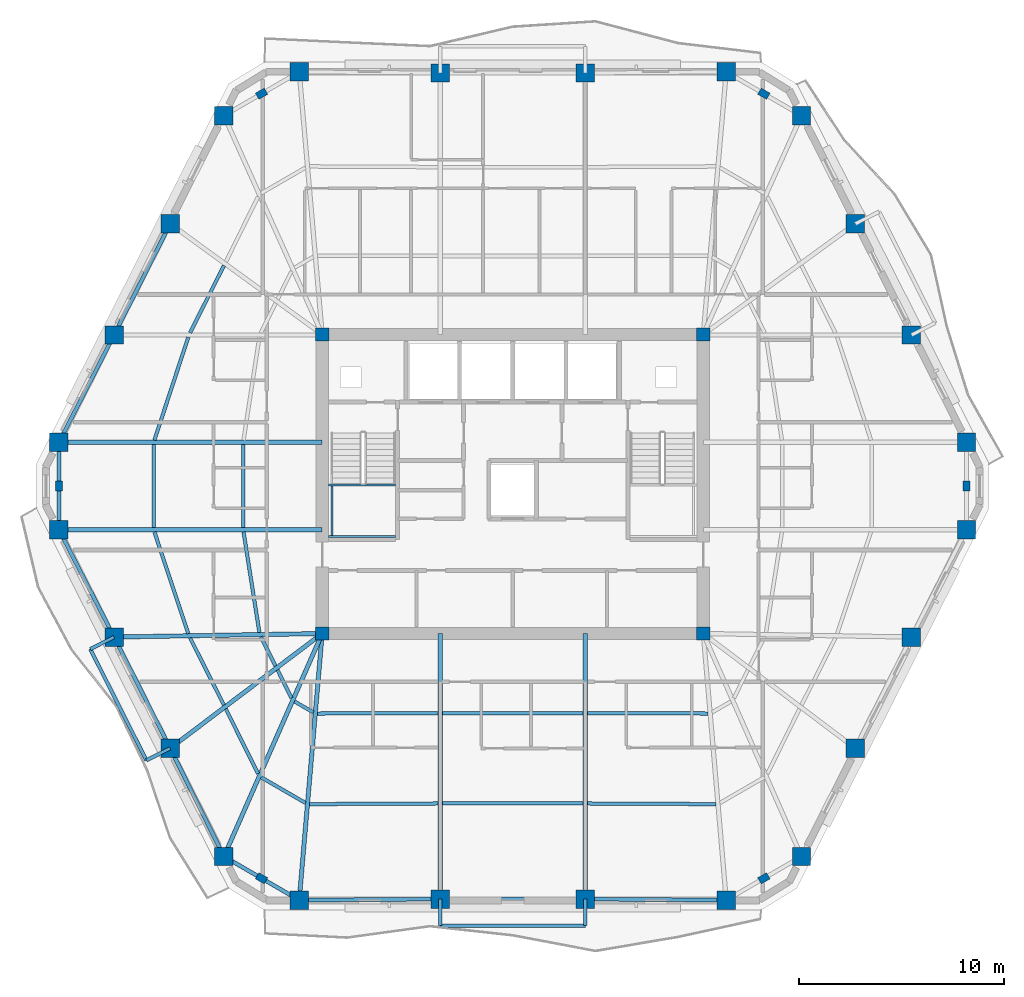
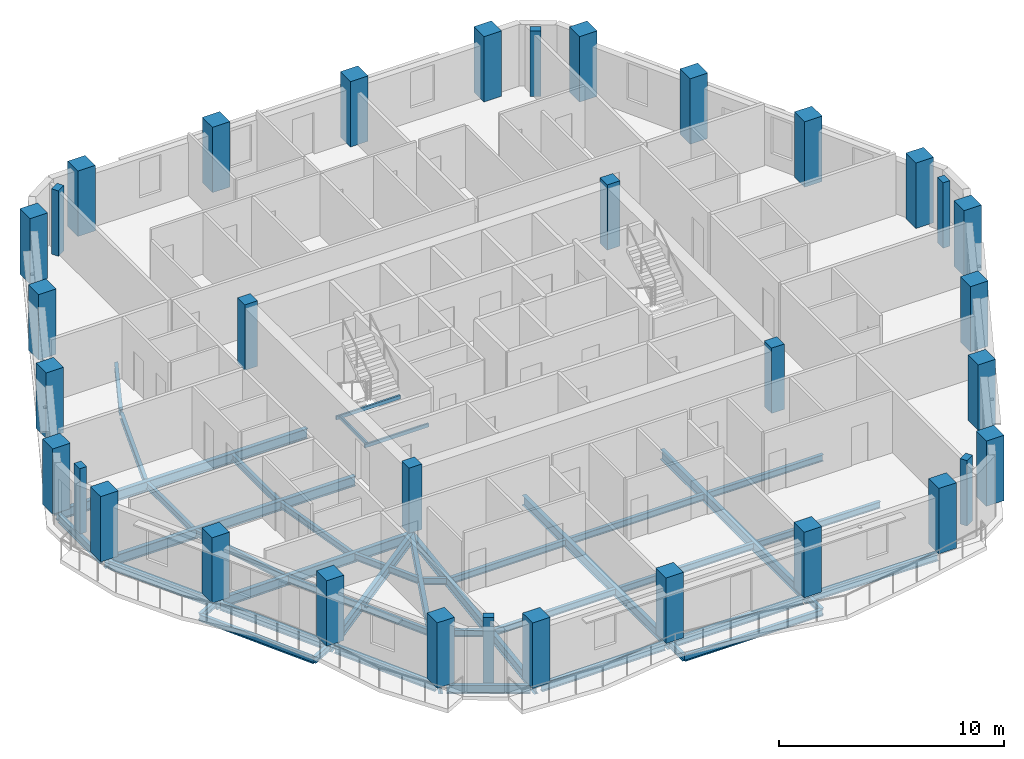
# One storey, part 1 of 11: 45 beams, 34 columns.
"""IFC4 building model written with IfcOpenShell, lengths in metres."""

from ifc_helpers import new_model, si_unit, direction, frame, origin, origin_2d, place, context, subcontext, project, spatial, rectangle, hollow_rectangle, i_section, extrude, material, material_profile, profile_set, type_object, element, save


model = new_model("IFC4")

# Units and contexts
model_context = context("Model", 3, precision=1e-05, world=origin(), true_north=direction((0.0, 1.0)))
body_context = subcontext(model_context, "Body", "Model", "MODEL_VIEW")
ifc_project = project(units=[si_unit("LENGTHUNIT", "METRE"), si_unit("AREAUNIT", "SQUARE_METRE"), si_unit("VOLUMEUNIT", "CUBIC_METRE"), si_unit("PLANEANGLEUNIT", "RADIAN"), si_unit("MASSUNIT", "GRAM", prefix="KILO")], contexts=[model_context])

# Site, building, storey
site_placement = place(None, origin())
site = spatial("IfcSite", under=ifc_project, at=site_placement, CompositionType="ELEMENT")
building_placement = place(site_placement, origin())
building = spatial("IfcBuilding", under=site, at=building_placement, Name="Cinnabar Lancet Tower", CompositionType="ELEMENT")
storey_placement = place(building_placement, frame((0.0, 0.0, 200.300048828125)))
storey = spatial("IfcBuildingStorey", under=building, at=storey_placement, Name="L53", CompositionType="ELEMENT", Elevation=200.300048828125)

# Columns
ifc_material_1 = material(Name="Concrete C60/75", Category="concrete")
ifc_material_profile_1 = material_profile(ifc_material_1, rectangle(XDim=0.64990234375, YDim=0.64990234375, at=origin_2d()), Name="RC-COL 650x650")
ifc_profile_set_1 = profile_set([ifc_material_profile_1], Name="Concrete C60/75")
column_type_1 = type_object("IfcColumnType", Name="STR-COL-CORE-650", PredefinedType="COLUMN", material=ifc_profile_set_1)
for number, where, z_axis, x_axis, name in (
    (1, (23.10009765625, 18.60009765625, 0.0), (0.0, 0.0, 1.0), (1.0, 0.0, 0.0), "L53 Core Corner Column SW"),
    (2, (41.699951171875, 18.60009765625, 0.0), (0.0, 0.0, 1.0), (1.0, 0.0, 0.0), "L53 Core Corner Column SE"),
    (3, (41.699951171875, 33.199951171875, 0.0), (0.0, 0.0, 1.0), (1.0, 0.0, 0.0), "L53 Core Corner Column NE"),
    (4, (23.10009765625, 33.199951171875, 0.0), (0.0, 0.0, 1.0), (1.0, 0.0, 0.0), "L53 Core Corner Column NW"),
):
    element("IfcColumn", number, at=place(storey_placement, frame(where, z_axis=z_axis, x_axis=x_axis)), inside=storey, type_object=column_type_1, Name=name, PredefinedType="COLUMN", context=body_context, shape_type="SweptSolid", body=[
        extrude(rectangle(XDim=0.64990234375, YDim=0.64990234375, at=origin_2d()), origin(), (0.0, 0.0, 1.0), 3.550048828125),
    ])
ifc_material_2 = material(Name="Concrete C60/75", Category="concrete")
ifc_material_profile_2 = material_profile(ifc_material_2, rectangle(XDim=0.5, YDim=0.35009765625, at=origin_2d()), Name="RC-PIL 500x350")
ifc_profile_set_2 = profile_set([ifc_material_profile_2], Name="Concrete C60/75")
column_type_2 = type_object("IfcColumnType", Name="STR-COL-PIL-500", PredefinedType="PILASTER", material=ifc_profile_set_2)
for number, where, z_axis, x_axis, name in (
    (5, (20.14208984375, 6.654052734375, 0.0), (0.0, 0.0, 1.0), (0.865230187018, -0.501374833306, 0.0), "L53 Chamfered Corner Pilaster 1"),
    (6, (44.657958984375, 6.654052734375, 0.0), (0.0, 0.0, 1.0), (0.865230187018, 0.501374833306, 0.0), "L53 Chamfered Corner Pilaster 2"),
    (7, (54.547119140625, 25.800048828125, 0.0), (0.0, 0.0, 1.0), (0.0, 1.0, 0.0), "L53 Chamfered Corner Pilaster 3"),
    (8, (44.657958984375, 44.947021484375, 0.0), (0.0, 0.0, 1.0), (-0.865230187018, 0.501374833306, 0.0), "L53 Chamfered Corner Pilaster 4"),
    (9, (20.14208984375, 44.947021484375, 0.0), (0.0, 0.0, 1.0), (-0.865230187018, -0.501374833306, 0.0), "L53 Chamfered Corner Pilaster 5"),
    (10, (10.2529296875, 25.800048828125, 0.0), (0.0, 0.0, 1.0), (0.0, -1.0, 0.0), "L53 Chamfered Corner Pilaster 6"),
):
    element("IfcColumn", number, at=place(storey_placement, frame(where, z_axis=z_axis, x_axis=x_axis)), inside=storey, type_object=column_type_2, Name=name, PredefinedType="PILASTER", context=body_context, shape_type="SweptSolid", body=[
        extrude(rectangle(XDim=0.5, YDim=0.35009765625, at=origin_2d()), origin(), (0.0, 0.0, 1.0), 3.550048828125),
    ])
ifc_material_3 = material(Name="Concrete C60/75", Category="concrete")
ifc_material_profile_3 = material_profile(ifc_material_3, rectangle(XDim=0.89990234375, YDim=0.89990234375, at=origin_2d()), Name="RC-COL 900x900")
ifc_profile_set_3 = profile_set([ifc_material_profile_3], Name="Concrete C60/75")
column_type_3 = type_object("IfcColumnType", Name="STR-COL-TUBE-900", PredefinedType="COLUMN", material=ifc_profile_set_3)
for number, where, z_axis, x_axis, name in (
    (11, (21.97900390625, 5.589111328125, 0.0), (0.0, 0.0, 1.0), (1.0, 0.0, 0.0), "L53 Perimeter Tube Column 1"),
    (12, (28.85693359375, 5.64208984375, 0.0), (0.0, 0.0, 1.0), (1.0, 0.0, 0.0), "L53 Perimeter Tube Column 2"),
    (13, (35.943115234375, 5.64208984375, 0.0), (0.0, 0.0, 1.0), (1.0, 0.0, 0.0), "L53 Perimeter Tube Column 3"),
    (14, (42.821044921875, 5.589111328125, 0.0), (0.0, 0.0, 1.0), (1.0, 0.0, 0.0), "L53 Perimeter Tube Column 4"),
    (15, (46.4951171875, 7.718017578125, 0.0), (0.0, 0.0, 1.0), (1.0, 0.0, 0.0), "L53 Perimeter Tube Column 5"),
    (16, (49.118896484375, 13.0009765625, 0.0), (0.0, 0.0, 1.0), (1.0, 0.0, 0.0), "L53 Perimeter Tube Column 6"),
    (17, (51.85791015625, 18.428955078125, 0.0), (0.0, 0.0, 1.0), (1.0, 0.0, 0.0), "L53 Perimeter Tube Column 7"),
    (18, (54.547119140625, 23.66796875, 0.0), (0.0, 0.0, 1.0), (1.0, 0.0, 0.0), "L53 Perimeter Tube Column 8"),
    (19, (54.547119140625, 27.931884765625, 0.0), (0.0, 0.0, 1.0), (1.0, 0.0, 0.0), "L53 Perimeter Tube Column 9"),
    (20, (51.85791015625, 33.1708984375, 0.0), (0.0, 0.0, 1.0), (1.0, 0.0, 0.0), "L53 Perimeter Tube Column 10"),
    (21, (49.118896484375, 38.59912109375, 0.0), (0.0, 0.0, 1.0), (1.0, 0.0, 0.0), "L53 Perimeter Tube Column 11"),
    (22, (46.4951171875, 43.882080078125, 0.0), (0.0, 0.0, 1.0), (1.0, 0.0, 0.0), "L53 Perimeter Tube Column 12"),
    (23, (42.821044921875, 46.010986328125, 0.0), (0.0, 0.0, 1.0), (1.0, 0.0, 0.0), "L53 Perimeter Tube Column 13"),
    (24, (35.943115234375, 45.9580078125, 0.0), (0.0, 0.0, 1.0), (1.0, 0.0, 0.0), "L53 Perimeter Tube Column 14"),
    (25, (28.85693359375, 45.9580078125, 0.0), (0.0, 0.0, 1.0), (1.0, 0.0, 0.0), "L53 Perimeter Tube Column 15"),
    (26, (21.97900390625, 46.010986328125, 0.0), (0.0, 0.0, 1.0), (1.0, 0.0, 0.0), "L53 Perimeter Tube Column 16"),
    (27, (18.304931640625, 43.882080078125, 0.0), (0.0, 0.0, 1.0), (1.0, 0.0, 0.0), "L53 Perimeter Tube Column 17"),
    (28, (15.680908203125, 38.59912109375, 0.0), (0.0, 0.0, 1.0), (1.0, 0.0, 0.0), "L53 Perimeter Tube Column 18"),
    (29, (12.94189453125, 33.1708984375, 0.0), (0.0, 0.0, 1.0), (1.0, 0.0, 0.0), "L53 Perimeter Tube Column 19"),
    (30, (10.2529296875, 27.931884765625, 0.0), (0.0, 0.0, 1.0), (1.0, 0.0, 0.0), "L53 Perimeter Tube Column 20"),
    (31, (10.2529296875, 23.66796875, 0.0), (0.0, 0.0, 1.0), (1.0, 0.0, 0.0), "L53 Perimeter Tube Column 21"),
    (32, (12.94189453125, 18.428955078125, 0.0), (0.0, 0.0, 1.0), (1.0, 0.0, 0.0), "L53 Perimeter Tube Column 22"),
    (33, (15.680908203125, 13.0009765625, 0.0), (0.0, 0.0, 1.0), (1.0, 0.0, 0.0), "L53 Perimeter Tube Column 23"),
    (34, (18.304931640625, 7.718017578125, 0.0), (0.0, 0.0, 1.0), (1.0, 0.0, 0.0), "L53 Perimeter Tube Column 24"),
):
    element("IfcColumn", number, at=place(storey_placement, frame(where, z_axis=z_axis, x_axis=x_axis)), inside=storey, type_object=column_type_3, Name=name, PredefinedType="COLUMN", context=body_context, shape_type="SweptSolid", body=[
        extrude(rectangle(XDim=0.89990234375, YDim=0.89990234375, at=origin_2d()), origin(), (0.0, 0.0, 1.0), 3.550048828125),
    ])

# Beams
ifc_material_4 = material(Name="Structural steel S355", Category="steel")
ifc_material_profile_4 = material_profile(ifc_material_4, i_section(OverallWidth=0.17138671875, OverallDepth=0.35498046875, WebThickness=0.00732421875, FlangeThickness=0.011474609375, FilletRadius=0.01025390625, at=origin_2d()), Name="UKB 356x171x51")
ifc_profile_set_4 = profile_set([ifc_material_profile_4], Name="Structural steel S355")
beam_type_1 = type_object("IfcBeamType", Name="STR-BM-JST-356", PredefinedType="JOIST", material=ifc_profile_set_4)
beam_1_placement = place(storey_placement, frame((14.9130859375, 23.56298828125, -0.3779296875), z_axis=(0.315346227037, -0.948976689436, 0.0), x_axis=(0.948976689436, 0.315346227037, 0.0)))
element("IfcBeam", 35, at=beam_1_placement, inside=storey, type_object=beam_type_1, Name="L53 Secondary Floor Joist 1", PredefinedType="JOIST", context=body_context, shape_type="SweptSolid", body=[
    extrude(i_section(OverallWidth=0.17138671875, OverallDepth=0.35498046875, WebThickness=0.00732421875, FlangeThickness=0.011474609375, FilletRadius=0.01025390625, at=origin_2d()), origin(), (0.0, 0.0, 1.0), 5.235107421875),
])
beam_2_placement = place(storey_placement, frame((19.261962890625, 23.56298828125, -0.3779296875), z_axis=(0.155702775827, -0.987803950994, 0.0), x_axis=(0.987803950994, 0.155702775827, 0.0)))
element("IfcBeam", 36, at=beam_2_placement, inside=storey, type_object=beam_type_1, Name="L53 Secondary Floor Joist 2", PredefinedType="JOIST", context=body_context, shape_type="SweptSolid", body=[
    extrude(i_section(OverallWidth=0.17138671875, OverallDepth=0.35498046875, WebThickness=0.00732421875, FlangeThickness=0.011474609375, FilletRadius=0.01025390625, at=origin_2d()), origin(), (0.0, 0.0, 1.0), 4.970458984375),
])
beam_3_placement = place(storey_placement, frame((16.65087890625, 18.386962890625, -0.3779296875), z_axis=(0.45061776862, -0.892716991327, 0.0), x_axis=(0.892716991327, 0.45061776862, 0.0)))
element("IfcBeam", 37, at=beam_3_placement, inside=storey, type_object=beam_type_1, Name="L53 Secondary Floor Joist 3", PredefinedType="JOIST", context=body_context, shape_type="SweptSolid", body=[
    extrude(i_section(OverallWidth=0.17138671875, OverallDepth=0.35498046875, WebThickness=0.00732421875, FlangeThickness=0.011474609375, FilletRadius=0.01025390625, at=origin_2d()), origin(), (0.0, 0.0, 1.0), 3.66845703125),
])
beam_4_placement = place(storey_placement, frame((20.10498046875, 18.445068359375, -0.3779296875), z_axis=(0.450137936259, -0.892959035085, 0.0), x_axis=(0.892959035085, 0.450137936259, 0.0)))
element("IfcBeam", 38, at=beam_4_placement, inside=storey, type_object=beam_type_1, Name="L53 Secondary Floor Joist 4", PredefinedType="JOIST", context=body_context, shape_type="SweptSolid", body=[
    extrude(i_section(OverallWidth=0.17138671875, OverallDepth=0.35498046875, WebThickness=0.00732421875, FlangeThickness=0.011474609375, FilletRadius=0.01025390625, at=origin_2d()), origin(), (0.0, 0.0, 1.0), 1.6015625),
])
beam_5_placement = place(storey_placement, frame((18.39892578125, 14.9208984375, -0.3779296875), z_axis=(0.445083338565, -0.895489152214, 0.0), x_axis=(0.895489152214, 0.445083338565, 0.0)))
element("IfcBeam", 39, at=beam_5_placement, inside=storey, type_object=beam_type_1, Name="L53 Secondary Floor Joist 5", PredefinedType="JOIST", context=body_context, shape_type="SweptSolid", body=[
    extrude(i_section(OverallWidth=0.17138671875, OverallDepth=0.35498046875, WebThickness=0.00732421875, FlangeThickness=0.011474609375, FilletRadius=0.01025390625, at=origin_2d()), origin(), (0.0, 0.0, 1.0), 3.531982421875),
])
beam_6_placement = place(storey_placement, frame((20.922119140625, 16.824951171875, -0.3779296875), z_axis=(0.444589856968, -0.895734256954, 0.0), x_axis=(0.895734256954, 0.444589856968, 0.0)))
element("IfcBeam", 40, at=beam_6_placement, inside=storey, type_object=beam_type_1, Name="L53 Secondary Floor Joist 6", PredefinedType="JOIST", context=body_context, shape_type="SweptSolid", body=[
    extrude(i_section(OverallWidth=0.17138671875, OverallDepth=0.35498046875, WebThickness=0.00732421875, FlangeThickness=0.011474609375, FilletRadius=0.01025390625, at=origin_2d()), origin(), (0.0, 0.0, 1.0), 1.527099609375),
])
beam_7_placement = place(storey_placement, frame((20.1220703125, 11.5830078125, -0.3779296875), z_axis=(0.865267839663, -0.501309849937, 0.0), x_axis=(0.501309849937, 0.865267839663, 0.0)))
element("IfcBeam", 41, at=beam_7_placement, inside=storey, type_object=beam_type_1, Name="L53 Secondary Floor Joist 7", PredefinedType="JOIST", context=body_context, shape_type="SweptSolid", body=[
    extrude(i_section(OverallWidth=0.17138671875, OverallDepth=0.35498046875, WebThickness=0.00732421875, FlangeThickness=0.011474609375, FilletRadius=0.01025390625, at=origin_2d()), origin(), (0.0, 0.0, 1.0), 2.497314453125),
])
beam_8_placement = place(storey_placement, frame((21.7529296875, 15.282958984375, -0.3779296875), z_axis=(0.8651881055, -0.501447446998, 0.0), x_axis=(0.501447446998, 0.8651881055, 0.0)))
element("IfcBeam", 42, at=beam_8_placement, inside=storey, type_object=beam_type_1, Name="L53 Secondary Floor Joist 8", PredefinedType="JOIST", context=body_context, shape_type="SweptSolid", body=[
    extrude(i_section(OverallWidth=0.17138671875, OverallDepth=0.35498046875, WebThickness=0.00732421875, FlangeThickness=0.011474609375, FilletRadius=0.01025390625, at=origin_2d()), origin(), (0.0, 0.0, 1.0), 1.05322265625),
])
beam_9_placement = place(storey_placement, frame((22.488037109375, 10.27392578125, -0.3779296875), z_axis=(0.999986965561, 0.005105752523, 0.0), x_axis=(-0.005105752523, 0.999986965561, 0.0)))
element("IfcBeam", 43, at=beam_9_placement, inside=storey, type_object=beam_type_1, Name="L53 Secondary Floor Joist 9", PredefinedType="JOIST", context=body_context, shape_type="SweptSolid", body=[
    extrude(i_section(OverallWidth=0.17138671875, OverallDepth=0.35498046875, WebThickness=0.00732421875, FlangeThickness=0.011474609375, FilletRadius=0.01025390625, at=origin_2d()), origin(), (0.0, 0.0, 1.0), 6.263916015625),
])
beam_10_placement = place(storey_placement, frame((22.868896484375, 14.697021484375, -0.3779296875), z_axis=(0.999996795933, 0.002531427338, 0.0), x_axis=(-0.002531427338, 0.999996795933, 0.0)))
element("IfcBeam", 44, at=beam_10_placement, inside=storey, type_object=beam_type_1, Name="L53 Secondary Floor Joist 10", PredefinedType="JOIST", context=body_context, shape_type="SweptSolid", body=[
    extrude(i_section(OverallWidth=0.17138671875, OverallDepth=0.35498046875, WebThickness=0.00732421875, FlangeThickness=0.011474609375, FilletRadius=0.01025390625, at=origin_2d()), origin(), (0.0, 0.0, 1.0), 5.883056640625),
])
for number, where, z_axis, x_axis, name in (
    (45, (28.9619140625, 10.306884765625, -0.3779296875), (1.0, 0.0, 0.0), (0.0, 1.0, 0.0), "L53 Secondary Floor Joist 11"),
    (46, (28.9619140625, 14.712890625, -0.3779296875), (1.0, 0.0, 0.0), (0.0, 1.0, 0.0), "L53 Secondary Floor Joist 12"),
):
    element("IfcBeam", number, at=place(storey_placement, frame(where, z_axis=z_axis, x_axis=x_axis)), inside=storey, type_object=beam_type_1, Name=name, PredefinedType="JOIST", context=body_context, shape_type="SweptSolid", body=[
        extrude(i_section(OverallWidth=0.17138671875, OverallDepth=0.35498046875, WebThickness=0.00732421875, FlangeThickness=0.011474609375, FilletRadius=0.01025390625, at=origin_2d()), origin(), (0.0, 0.0, 1.0), 6.8759765625),
    ])
beam_11_placement = place(storey_placement, frame((36.048095703125, 10.305908203125, -0.3779296875), z_axis=(0.999986965561, -0.005105752523, 0.0), x_axis=(0.005105752523, 0.999986965561, 0.0)))
element("IfcBeam", 47, at=beam_11_placement, inside=storey, type_object=beam_type_1, Name="L53 Secondary Floor Joist 13", PredefinedType="JOIST", context=body_context, shape_type="SweptSolid", body=[
    extrude(i_section(OverallWidth=0.17138671875, OverallDepth=0.35498046875, WebThickness=0.00732421875, FlangeThickness=0.011474609375, FilletRadius=0.01025390625, at=origin_2d()), origin(), (0.0, 0.0, 1.0), 6.263916015625),
])
beam_12_placement = place(storey_placement, frame((36.048095703125, 14.7119140625, -0.3779296875), z_axis=(0.999996795667, -0.002531532393, 0.0), x_axis=(0.002531532393, 0.999996795667, 0.0)))
element("IfcBeam", 48, at=beam_12_placement, inside=storey, type_object=beam_type_1, Name="L53 Secondary Floor Joist 14", PredefinedType="JOIST", context=body_context, shape_type="SweptSolid", body=[
    extrude(i_section(OverallWidth=0.17138671875, OverallDepth=0.35498046875, WebThickness=0.00732421875, FlangeThickness=0.011474609375, FilletRadius=0.01025390625, at=origin_2d()), origin(), (0.0, 0.0, 1.0), 5.8828125),
])
beam_13_placement = place(storey_placement, frame((18.303955078125, 36.56103515625, -0.3779296875), z_axis=(-0.449230875134, -0.893415704376, 0.0), x_axis=(0.893415704376, -0.449230875134, 0.0)))
element("IfcBeam", 49, at=beam_13_placement, inside=storey, type_object=beam_type_1, Name="L53 Secondary Floor Joist 43", PredefinedType="JOIST", context=body_context, shape_type="SweptSolid", body=[
    extrude(i_section(OverallWidth=0.17138671875, OverallDepth=0.35498046875, WebThickness=0.00732421875, FlangeThickness=0.011474609375, FilletRadius=0.01025390625, at=origin_2d()), origin(), (0.0, 0.0, 1.0), 3.677001953125),
])
beam_14_placement = place(storey_placement, frame((16.56494140625, 33.06591796875, -0.3779296875), z_axis=(-0.312240109925, -0.95000321776, 0.0), x_axis=(0.95000321776, -0.312240109925, 0.0)))
element("IfcBeam", 50, at=beam_14_placement, inside=storey, type_object=beam_type_1, Name="L53 Secondary Floor Joist 45", PredefinedType="JOIST", context=body_context, shape_type="SweptSolid", body=[
    extrude(i_section(OverallWidth=0.17138671875, OverallDepth=0.35498046875, WebThickness=0.00732421875, FlangeThickness=0.011474609375, FilletRadius=0.01025390625, at=origin_2d()), origin(), (0.0, 0.0, 1.0), 5.29345703125),
])
for number, where, z_axis, x_axis, name in (
    (51, (14.8779296875, 27.826904296875, -0.3779296875), (0.0, -1.0, 0.0), (1.0, 0.0, 0.0), "L53 Secondary Floor Joist 47"),
    (52, (19.24609375, 27.826904296875, -0.3779296875), (0.0, -1.0, 0.0), (1.0, 0.0, 0.0), "L53 Secondary Floor Joist 48"),
):
    element("IfcBeam", number, at=place(storey_placement, frame(where, z_axis=z_axis, x_axis=x_axis)), inside=storey, type_object=beam_type_1, Name=name, PredefinedType="JOIST", context=body_context, shape_type="SweptSolid", body=[
        extrude(i_section(OverallWidth=0.17138671875, OverallDepth=0.35498046875, WebThickness=0.00732421875, FlangeThickness=0.011474609375, FilletRadius=0.01025390625, at=origin_2d()), origin(), (0.0, 0.0, 1.0), 4.053955078125),
    ])
ifc_material_5 = material(Name="Structural steel S355", Category="steel")
ifc_material_profile_5 = material_profile(ifc_material_5, hollow_rectangle(XDim=0.10009765625, YDim=0.199951171875, WallThickness=0.008056640625, InnerFilletRadius=0.00390625, OuterFilletRadius=0.011962890625, at=origin_2d()), Name="RHS 200x100x8")
ifc_profile_set_5 = profile_set([ifc_material_profile_5], Name="Structural steel S355")
beam_type_2 = type_object("IfcBeamType", Name="STR-BM-LND-203", PredefinedType="BEAM", material=ifc_profile_set_5)
for number, where, z_axis, x_axis, name in (
    (53, (23.39990234375, 23.330078125, 1.474853515625), (1.0, 0.0, 0.0), (0.0, 1.0, 0.0), "L53 ST-1-L53 Landing Support Beam S"),
    (54, (23.39990234375, 25.844970703125, 1.474853515625), (1.0, 0.0, 0.0), (0.0, 1.0, 0.0), "L53 ST-1-L53 Landing Support Beam N"),
):
    element("IfcBeam", number, at=place(storey_placement, frame(where, z_axis=z_axis, x_axis=x_axis)), inside=storey, type_object=beam_type_2, Name=name, PredefinedType="BEAM", context=body_context, shape_type="SweptSolid", body=[
        extrude(hollow_rectangle(XDim=0.10009765625, YDim=0.199951171875, WallThickness=0.008056640625, InnerFilletRadius=0.00390625, OuterFilletRadius=0.011962890625, at=origin_2d()), origin(), (0.0, 0.0, 1.0), 3.280029296875),
    ])
beam_15_placement = place(storey_placement, frame((23.580078125, 23.3798828125, 1.474853515625), z_axis=(0.0, 1.0, 0.0), x_axis=(-1.0, 0.0, 0.0)))
element("IfcBeam", 55, at=beam_15_placement, inside=storey, type_object=beam_type_2, Name="L53 ST-1-L53 Landing Side Trimmer Beam", PredefinedType="BEAM", context=body_context, shape_type="SweptSolid", body=[
    extrude(hollow_rectangle(XDim=0.10009765625, YDim=0.199951171875, WallThickness=0.008056640625, InnerFilletRadius=0.00390625, OuterFilletRadius=0.011962890625, at=origin_2d()), origin(), (0.0, 0.0, 1.0), 2.4150390625),
])
ifc_material_6 = material(Name="Structural steel S355", Category="steel")
ifc_material_profile_6 = material_profile(ifc_material_6, i_section(OverallWidth=0.1904296875, OverallDepth=0.45703125, WebThickness=0.009033203125, FlangeThickness=0.014404296875, FilletRadius=0.01025390625, at=origin_2d()), Name="UKB 457x191x74")
ifc_profile_set_6 = profile_set([ifc_material_profile_6], Name="Structural steel S355")
beam_type_3 = type_object("IfcBeamType", Name="STR-BM-SPN-457", PredefinedType="SPANDREL", material=ifc_profile_set_6)
beam_16_placement = place(storey_placement, frame((22.22900390625, 5.591064453125, -0.428955078125), z_axis=(0.999970695686, 0.007655571089, 0.0), x_axis=(-0.007655571089, 0.999970695686, 0.0)))
element("IfcBeam", 56, at=beam_16_placement, inside=storey, type_object=beam_type_3, Name="L53 Perimeter Spandrel 1", PredefinedType="SPANDREL", context=body_context, shape_type="SweptSolid", body=[
    extrude(i_section(OverallWidth=0.1904296875, OverallDepth=0.45703125, WebThickness=0.009033203125, FlangeThickness=0.014404296875, FilletRadius=0.01025390625, at=origin_2d()), origin(), (0.0, 0.0, 1.0), 6.378173828125),
])
beam_17_placement = place(storey_placement, frame((29.10693359375, 5.64208984375, -0.428955078125), z_axis=(1.0, 0.0, 0.0), x_axis=(0.0, 1.0, 0.0)))
element("IfcBeam", 57, at=beam_17_placement, inside=storey, type_object=beam_type_3, Name="L53 Perimeter Spandrel 2", PredefinedType="SPANDREL", context=body_context, shape_type="SweptSolid", body=[
    extrude(i_section(OverallWidth=0.1904296875, OverallDepth=0.45703125, WebThickness=0.009033203125, FlangeThickness=0.014404296875, FilletRadius=0.01025390625, at=origin_2d()), origin(), (0.0, 0.0, 1.0), 6.586181640625),
])
beam_18_placement = place(storey_placement, frame((36.193115234375, 5.639892578125, -0.428955078125), z_axis=(0.999970695686, -0.007655571089, 0.0), x_axis=(0.007655571089, 0.999970695686, 0.0)))
element("IfcBeam", 58, at=beam_18_placement, inside=storey, type_object=beam_type_3, Name="L53 Perimeter Spandrel 3", PredefinedType="SPANDREL", context=body_context, shape_type="SweptSolid", body=[
    extrude(i_section(OverallWidth=0.1904296875, OverallDepth=0.45703125, WebThickness=0.009033203125, FlangeThickness=0.014404296875, FilletRadius=0.01025390625, at=origin_2d()), origin(), (0.0, 0.0, 1.0), 6.378173828125),
])
beam_19_placement = place(storey_placement, frame((15.568115234375, 38.3759765625, -0.428955078125), z_axis=(-0.450395996562, -0.892828900899, 0.0), x_axis=(0.892828900899, -0.450395996562, 0.0)))
element("IfcBeam", 59, at=beam_19_placement, inside=storey, type_object=beam_type_3, Name="L53 Perimeter Spandrel 18", PredefinedType="SPANDREL", context=body_context, shape_type="SweptSolid", body=[
    extrude(i_section(OverallWidth=0.1904296875, OverallDepth=0.45703125, WebThickness=0.009033203125, FlangeThickness=0.014404296875, FilletRadius=0.01025390625, at=origin_2d()), origin(), (0.0, 0.0, 1.0), 5.579833984375),
])
beam_20_placement = place(storey_placement, frame((12.827880859375, 32.948974609375, -0.428955078125), z_axis=(-0.456610910924, -0.889666497079, 0.0), x_axis=(0.889666497079, -0.456610910924, 0.0)))
element("IfcBeam", 60, at=beam_20_placement, inside=storey, type_object=beam_type_3, Name="L53 Perimeter Spandrel 19", PredefinedType="SPANDREL", context=body_context, shape_type="SweptSolid", body=[
    extrude(i_section(OverallWidth=0.1904296875, OverallDepth=0.45703125, WebThickness=0.009033203125, FlangeThickness=0.014404296875, FilletRadius=0.01025390625, at=origin_2d()), origin(), (0.0, 0.0, 1.0), 5.3896484375),
])
beam_21_placement = place(storey_placement, frame((10.2529296875, 27.681884765625, -0.428955078125), z_axis=(0.0, -1.0, 0.0), x_axis=(1.0, 0.0, 0.0)))
element("IfcBeam", 61, at=beam_21_placement, inside=storey, type_object=beam_type_3, Name="L53 Perimeter Spandrel 20", PredefinedType="SPANDREL", context=body_context, shape_type="SweptSolid", body=[
    extrude(i_section(OverallWidth=0.1904296875, OverallDepth=0.45703125, WebThickness=0.009033203125, FlangeThickness=0.014404296875, FilletRadius=0.01025390625, at=origin_2d()), origin(), (0.0, 0.0, 1.0), 3.763916015625),
])
beam_22_placement = place(storey_placement, frame((10.366943359375, 23.446044921875, -0.428955078125), z_axis=(0.456592509812, -0.889675940994, 0.0), x_axis=(0.889675940994, 0.456592509812, 0.0)))
element("IfcBeam", 62, at=beam_22_placement, inside=storey, type_object=beam_type_3, Name="L53 Perimeter Spandrel 21", PredefinedType="SPANDREL", context=body_context, shape_type="SweptSolid", body=[
    extrude(i_section(OverallWidth=0.1904296875, OverallDepth=0.45703125, WebThickness=0.009033203125, FlangeThickness=0.014404296875, FilletRadius=0.01025390625, at=origin_2d()), origin(), (0.0, 0.0, 1.0), 5.389892578125),
])
beam_23_placement = place(storey_placement, frame((13.054931640625, 18.2060546875, -0.428955078125), z_axis=(0.450395996562, -0.892828900899, 0.0), x_axis=(0.892828900899, 0.450395996562, 0.0)))
element("IfcBeam", 63, at=beam_23_placement, inside=storey, type_object=beam_type_3, Name="L53 Perimeter Spandrel 22", PredefinedType="SPANDREL", context=body_context, shape_type="SweptSolid", body=[
    extrude(i_section(OverallWidth=0.1904296875, OverallDepth=0.45703125, WebThickness=0.009033203125, FlangeThickness=0.014404296875, FilletRadius=0.01025390625, at=origin_2d()), origin(), (0.0, 0.0, 1.0), 5.579833984375),
])
beam_24_placement = place(storey_placement, frame((15.7919921875, 12.777099609375, -0.428955078125), z_axis=(0.444914968367, -0.895572817208, 0.0), x_axis=(0.895572817208, 0.444914968367, 0.0)))
element("IfcBeam", 64, at=beam_24_placement, inside=storey, type_object=beam_type_3, Name="L53 Perimeter Spandrel 23", PredefinedType="SPANDREL", context=body_context, shape_type="SweptSolid", body=[
    extrude(i_section(OverallWidth=0.1904296875, OverallDepth=0.45703125, WebThickness=0.009033203125, FlangeThickness=0.014404296875, FilletRadius=0.01025390625, at=origin_2d()), origin(), (0.0, 0.0, 1.0), 5.39892578125),
])
beam_25_placement = place(storey_placement, frame((18.52099609375, 7.593017578125, -0.428955078125), z_axis=(0.865195717586, -0.501434313016, 0.0), x_axis=(0.501434313016, 0.865195717586, 0.0)))
element("IfcBeam", 65, at=beam_25_placement, inside=storey, type_object=beam_type_3, Name="L53 Perimeter Spandrel 24", PredefinedType="SPANDREL", context=body_context, shape_type="SweptSolid", body=[
    extrude(i_section(OverallWidth=0.1904296875, OverallDepth=0.45703125, WebThickness=0.009033203125, FlangeThickness=0.014404296875, FilletRadius=0.01025390625, at=origin_2d()), origin(), (0.0, 0.0, 1.0), 3.7470703125),
])
ifc_material_7 = material(Name="Structural steel S355", Category="steel")
ifc_material_profile_7 = material_profile(ifc_material_7, i_section(OverallWidth=0.209228515625, OverallDepth=0.533203125, WebThickness=0.010009765625, FlangeThickness=0.015625, FilletRadius=0.0126953125, at=origin_2d()), Name="UKB 533x210x92")
ifc_profile_set_7 = profile_set([ifc_material_profile_7], Name="Structural steel S355")
beam_type_4 = type_object("IfcBeamType", Name="STR-BM-UKB533-92", PredefinedType="BEAM", material=ifc_profile_set_7)
beam_26_placement = place(storey_placement, frame((15.680908203125, 13.0009765625, -0.467041015625), z_axis=(0.798202971293, 0.602388592703, 0.0), x_axis=(-0.602388592703, 0.798202971293, 0.0)))
element("IfcBeam", 66, at=beam_26_placement, inside=storey, type_object=beam_type_4, Name="L53 Corner Collector Girder 1", PredefinedType="BEAM", context=body_context, shape_type="SweptSolid", body=[
    extrude(i_section(OverallWidth=0.209228515625, OverallDepth=0.533203125, WebThickness=0.010009765625, FlangeThickness=0.015625, FilletRadius=0.0126953125, at=origin_2d()), origin(), (0.0, 0.0, 1.0), 9.294921875),
])
beam_27_placement = place(storey_placement, frame((21.97900390625, 5.589111328125, -0.467041015625), z_axis=(0.085847068729, 0.996308326167, 0.0), x_axis=(-0.996308326167, 0.085847068729, 0.0)))
element("IfcBeam", 67, at=beam_27_placement, inside=storey, type_object=beam_type_4, Name="L53 Primary Floor Girder 1", PredefinedType="BEAM", context=body_context, shape_type="SweptSolid", body=[
    extrude(i_section(OverallWidth=0.209228515625, OverallDepth=0.533203125, WebThickness=0.010009765625, FlangeThickness=0.015625, FilletRadius=0.0126953125, at=origin_2d()), origin(), (0.0, 0.0, 1.0), 13.05908203125),
])
for number, where, z_axis, x_axis, name in (
    (68, (28.85693359375, 5.64208984375, -0.467041015625), (0.0, 1.0, 0.0), (-1.0, 0.0, 0.0), "L53 Primary Floor Girder 2"),
    (69, (35.943115234375, 5.64208984375, -0.467041015625), (0.0, 1.0, 0.0), (-1.0, 0.0, 0.0), "L53 Primary Floor Girder 3"),
):
    element("IfcBeam", number, at=place(storey_placement, frame(where, z_axis=z_axis, x_axis=x_axis)), inside=storey, type_object=beam_type_4, Name=name, PredefinedType="BEAM", context=body_context, shape_type="SweptSolid", body=[
        extrude(i_section(OverallWidth=0.209228515625, OverallDepth=0.533203125, WebThickness=0.010009765625, FlangeThickness=0.015625, FilletRadius=0.0126953125, at=origin_2d()), origin(), (0.0, 0.0, 1.0), 12.9580078125),
    ])
for number, where, z_axis, x_axis, name in (
    (70, (10.2529296875, 27.931884765625, -0.467041015625), (1.0, 0.0, 0.0), (0.0, 1.0, 0.0), "L53 Primary Floor Girder 20"),
    (71, (10.2529296875, 23.66796875, -0.467041015625), (1.0, 0.0, 0.0), (0.0, 1.0, 0.0), "L53 Primary Floor Girder 21"),
):
    element("IfcBeam", number, at=place(storey_placement, frame(where, z_axis=z_axis, x_axis=x_axis)), inside=storey, type_object=beam_type_4, Name=name, PredefinedType="BEAM", context=body_context, shape_type="SweptSolid", body=[
        extrude(i_section(OverallWidth=0.209228515625, OverallDepth=0.533203125, WebThickness=0.010009765625, FlangeThickness=0.015625, FilletRadius=0.0126953125, at=origin_2d()), origin(), (0.0, 0.0, 1.0), 12.84716796875),
    ])
beam_28_placement = place(storey_placement, frame((12.94189453125, 18.428955078125, -0.467041015625), z_axis=(0.999858107345, 0.016845331024, 0.0), x_axis=(-0.016845331024, 0.999858107345, 0.0)))
element("IfcBeam", 72, at=beam_28_placement, inside=storey, type_object=beam_type_4, Name="L53 Primary Floor Girder 22", PredefinedType="BEAM", context=body_context, shape_type="SweptSolid", body=[
    extrude(i_section(OverallWidth=0.209228515625, OverallDepth=0.533203125, WebThickness=0.010009765625, FlangeThickness=0.015625, FilletRadius=0.0126953125, at=origin_2d()), origin(), (0.0, 0.0, 1.0), 10.15966796875),
])
beam_29_placement = place(storey_placement, frame((18.304931640625, 7.718017578125, -0.467041015625), z_axis=(0.403235299754, 0.915096329919, 0.0), x_axis=(-0.915096329919, 0.403235299754, 0.0)))
element("IfcBeam", 73, at=beam_29_placement, inside=storey, type_object=beam_type_4, Name="L53 Primary Floor Girder 24", PredefinedType="BEAM", context=body_context, shape_type="SweptSolid", body=[
    extrude(i_section(OverallWidth=0.209228515625, OverallDepth=0.533203125, WebThickness=0.010009765625, FlangeThickness=0.015625, FilletRadius=0.0126953125, at=origin_2d()), origin(), (0.0, 0.0, 1.0), 11.891845703125),
])
ifc_material_8 = material(Name="Structural steel S355", Category="steel")
ifc_material_profile_8 = material_profile(ifc_material_8, i_section(OverallWidth=0.17138671875, OverallDepth=0.35498046875, WebThickness=0.00732421875, FlangeThickness=0.011474609375, FilletRadius=0.01025390625, at=origin_2d()), Name="UKB 356x171x51")
ifc_profile_set_8 = profile_set([ifc_material_profile_8], Name="Structural steel S355")
beam_type_5 = type_object("IfcBeamType", Name="STR-BM-WAV-OUT", PredefinedType="BEAM", material=ifc_profile_set_8)
for number, where, z_axis, x_axis, name in (
    (74, (28.85693359375, 5.64208984375, -0.39697265625), (0.0, -1.0, 0.0), (1.0, 0.0, 0.0), "L53 Face 1 Balcony Outlooker A"),
    (75, (35.943115234375, 5.64208984375, -0.39697265625), (0.0, -1.0, 0.0), (1.0, 0.0, 0.0), "L53 Face 1 Balcony Outlooker B"),
    (76, (12.94189453125, 18.428955078125, -0.39697265625), (-0.89227592947, -0.451490493464, 0.0), (0.451490493464, -0.89227592947, 0.0), "L53 Face 6 Balcony Outlooker A"),
    (77, (15.680908203125, 13.0009765625, -0.39697265625), (-0.89227592947, -0.451490493464, 0.0), (0.451490493464, -0.89227592947, 0.0), "L53 Face 6 Balcony Outlooker B"),
):
    element("IfcBeam", number, at=place(storey_placement, frame(where, z_axis=z_axis, x_axis=x_axis)), inside=storey, type_object=beam_type_5, Name=name, PredefinedType="BEAM", context=body_context, shape_type="SweptSolid", body=[
        extrude(i_section(OverallWidth=0.17138671875, OverallDepth=0.35498046875, WebThickness=0.00732421875, FlangeThickness=0.011474609375, FilletRadius=0.01025390625, at=origin_2d()), origin(), (0.0, 0.0, 1.0), 1.300048828125),
    ])
ifc_material_9 = material(Name="Structural steel S355", Category="steel")
ifc_material_profile_9 = material_profile(ifc_material_9, i_section(OverallWidth=0.17138671875, OverallDepth=0.35498046875, WebThickness=0.00732421875, FlangeThickness=0.011474609375, FilletRadius=0.01025390625, at=origin_2d()), Name="UKB 356x171x51")
ifc_profile_set_9 = profile_set([ifc_material_profile_9], Name="Structural steel S355")
beam_type_6 = type_object("IfcBeamType", Name="STR-BM-WAV-TRIM", PredefinedType="SPANDREL", material=ifc_profile_set_9)
beam_30_placement = place(storey_placement, frame((28.85693359375, 4.342041015625, -0.39697265625), z_axis=(1.0, 0.0, 0.0), x_axis=(0.0, 1.0, 0.0)))
element("IfcBeam", 78, at=beam_30_placement, inside=storey, type_object=beam_type_6, Name="L53 Face 1 Balcony Edge Trimmer", PredefinedType="SPANDREL", context=body_context, shape_type="SweptSolid", body=[
    extrude(i_section(OverallWidth=0.17138671875, OverallDepth=0.35498046875, WebThickness=0.00732421875, FlangeThickness=0.011474609375, FilletRadius=0.01025390625, at=origin_2d()), origin(), (0.0, 0.0, 1.0), 7.086181640625),
])
beam_31_placement = place(storey_placement, frame((11.781982421875, 17.842041015625, -0.39697265625), z_axis=(0.450503306898, -0.892774759093, 0.0), x_axis=(0.892774759093, 0.450503306898, 0.0)))
element("IfcBeam", 79, at=beam_31_placement, inside=storey, type_object=beam_type_6, Name="L53 Face 6 Balcony Edge Trimmer", PredefinedType="SPANDREL", context=body_context, shape_type="SweptSolid", body=[
    extrude(i_section(OverallWidth=0.17138671875, OverallDepth=0.35498046875, WebThickness=0.00732421875, FlangeThickness=0.011474609375, FilletRadius=0.01025390625, at=origin_2d()), origin(), (0.0, 0.0, 1.0), 6.079833984375),
])

save(model, "model.ifc")
